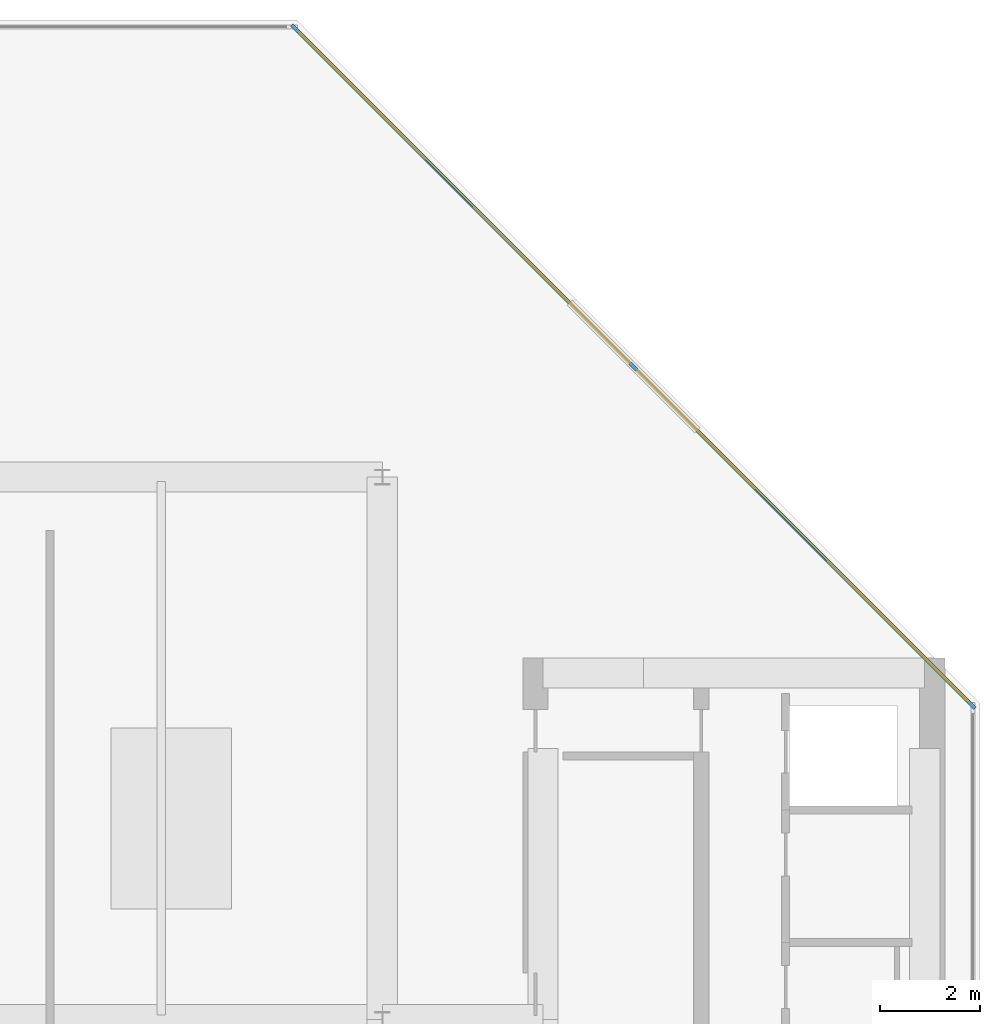
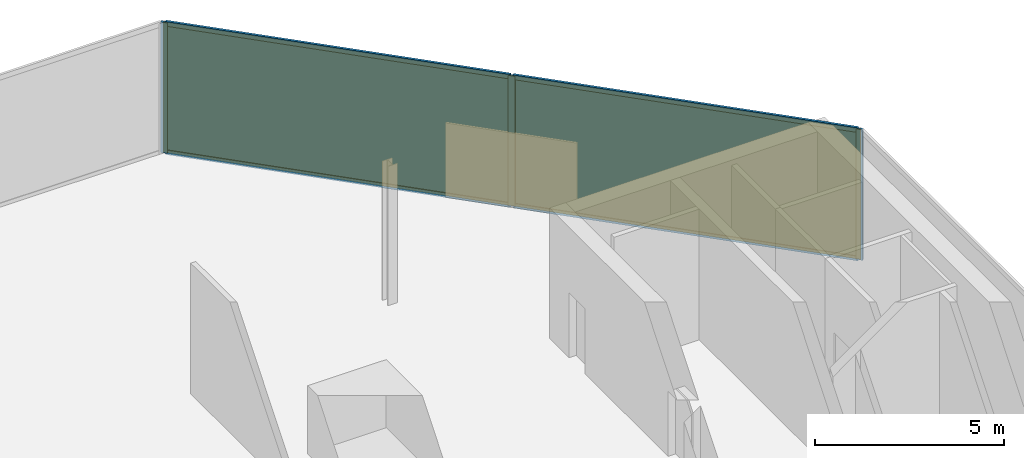
# One storey, part 11 of 15: 7 members, 2 plates, 1 curtain wall.
"""IFC4 building model written with IfcOpenShell, lengths in metres."""

from ifc_helpers import new_model, si_unit, direction, frame, frame_2d, origin, origin_2d, place, context, subcontext, project, spatial, rectangle, extrude, material, layer, layer_set, material_profile, profile_set, type_object, element, aggregate, save


model = new_model("IFC4")

# Units and contexts
model_context = context("Model", 3, precision=1e-05, world=origin(), true_north=direction((0.0, 1.0)))
body_context = subcontext(model_context, "Body", "Model", "MODEL_VIEW")
ifc_project = project(units=[si_unit("LENGTHUNIT", "METRE"), si_unit("AREAUNIT", "SQUARE_METRE"), si_unit("VOLUMEUNIT", "CUBIC_METRE"), si_unit("PLANEANGLEUNIT", "RADIAN"), si_unit("MASSUNIT", "GRAM", prefix="KILO")], contexts=[model_context])

# Member
ifc_material_1 = material(Name="Anodised Bronze Aluminium 6063-T6", Category="aluminium")
ifc_material_profile_1 = material_profile(ifc_material_1, rectangle(XDim=0.070068359375, YDim=0.18994140625, at=origin_2d()))
ifc_profile_set_1 = profile_set([ifc_material_profile_1], Name="Anodised Bronze Aluminium 6063-T6")
member_type_1 = type_object("IfcMemberType", Name="CW-SLC Mullion 70x190", PredefinedType="MULLION", material=ifc_profile_set_1)
site_placement = place(None, origin())
building_placement = place(site_placement, origin())
storey_placement = place(building_placement, frame((0.0, 0.0, 335.0)))
member_1_placement = place(storey_placement, frame((7.466796875, 19.7353515625, 0.0), z_axis=(0.0, 0.0, 1.0), x_axis=(0.707106781187, 0.707106781187, 0.0)))
member_1 = element("IfcMember", 1, at=member_1_placement, type_object=member_type_1, Name="CW-SLC mullion 1", PredefinedType="MULLION", context=body_context, shape_type="SweptSolid", body=[
    extrude(rectangle(XDim=0.070068359375, YDim=0.18994140625, at=origin_2d()), origin(), (0.0, 0.0, 1.0), 4.219970703125),
])

member_2_placement = place(storey_placement, frame((14.200927734375, 13.0009765625, 0.0), z_axis=(0.0, 0.0, 1.0), x_axis=(0.707106781187, 0.707106781187, 0.0)))
member_2 = element("IfcMember", 2, at=member_2_placement, type_object=member_type_1, Name="CW-SLC mullion 2", PredefinedType="MULLION", context=body_context, shape_type="SweptSolid", body=[
    extrude(rectangle(XDim=0.070068359375, YDim=0.18994140625, at=origin_2d()), origin(), (0.0, 0.0, 1.0), 4.219970703125),
])

member_3_placement = place(storey_placement, frame((20.935302734375, 6.266845703125, 0.0), z_axis=(0.0, 0.0, 1.0), x_axis=(0.707106781187, 0.707106781187, 0.0)))
member_3 = element("IfcMember", 3, at=member_3_placement, type_object=member_type_1, Name="CW-SLC mullion 3", PredefinedType="MULLION", context=body_context, shape_type="SweptSolid", body=[
    extrude(rectangle(XDim=0.070068359375, YDim=0.18994140625, at=origin_2d()), origin(), (0.0, 0.0, 1.0), 4.219970703125),
])

ifc_material_2 = material(Name="Anodised Bronze Aluminium 6063-T6", Category="aluminium")
ifc_material_profile_2 = material_profile(ifc_material_2, rectangle(XDim=0.070068359375, YDim=0.14990234375, at=origin_2d()))
ifc_profile_set_2 = profile_set([ifc_material_profile_2], Name="Anodised Bronze Aluminium 6063-T6")
member_type_2 = type_object("IfcMemberType", Name="CW-SLC Transom 70x150", PredefinedType="USERDEFINED", material=ifc_profile_set_2)
member_4_placement = place(storey_placement, frame((7.491455078125, 19.71044921875, 0.034912109375), z_axis=(0.707106781187, -0.707106781187, 0.0), x_axis=(0.707106781187, 0.707106781187, 0.0)))
member_4 = element("IfcMember", 4, at=member_4_placement, type_object=member_type_2, Name="CW-SLC transom 1.1", ObjectType="TRANSOM", PredefinedType="USERDEFINED", context=body_context, shape_type="SweptSolid", body=[
    extrude(rectangle(XDim=0.070068359375, YDim=0.14990234375, at=origin_2d()), origin(), (0.0, 0.0, 1.0), 9.453857421875),
])

member_5_placement = place(storey_placement, frame((7.491455078125, 19.71044921875, 4.18505859375), z_axis=(0.707106781187, -0.707106781187, 0.0), x_axis=(0.707106781187, 0.707106781187, 0.0)))
member_5 = element("IfcMember", 5, at=member_5_placement, type_object=member_type_2, Name="CW-SLC transom 1.2", ObjectType="TRANSOM", PredefinedType="USERDEFINED", context=body_context, shape_type="SweptSolid", body=[
    extrude(rectangle(XDim=0.070068359375, YDim=0.14990234375, at=origin_2d()), origin(), (0.0, 0.0, 1.0), 9.453857421875),
])

member_6_placement = place(storey_placement, frame((14.225830078125, 12.976318359375, 0.034912109375), z_axis=(0.707093868471, -0.707119693667, 0.0), x_axis=(0.707119693667, 0.707093868471, 0.0)))
member_6 = element("IfcMember", 6, at=member_6_placement, type_object=member_type_2, Name="CW-SLC transom 2.1", ObjectType="TRANSOM", PredefinedType="USERDEFINED", context=body_context, shape_type="SweptSolid", body=[
    extrude(rectangle(XDim=0.070068359375, YDim=0.14990234375, at=origin_2d()), origin(), (0.0, 0.0, 1.0), 9.45361328125),
])

member_7_placement = place(storey_placement, frame((14.225830078125, 12.976318359375, 4.18505859375), z_axis=(0.707093868471, -0.707119693667, 0.0), x_axis=(0.707119693667, 0.707093868471, 0.0)))
member_7 = element("IfcMember", 7, at=member_7_placement, type_object=member_type_2, Name="CW-SLC transom 2.2", ObjectType="TRANSOM", PredefinedType="USERDEFINED", context=body_context, shape_type="SweptSolid", body=[
    extrude(rectangle(XDim=0.070068359375, YDim=0.14990234375, at=origin_2d()), origin(), (0.0, 0.0, 1.0), 9.45361328125),
])

# Plate
ifc_material_3 = material(Name="Low-E Solar Control Laminated Glass", Category="glass")
ifc_layer_1 = layer(ifc_material_3, 0.033935546875, Name="Low-E Solar Control Laminated Glass")
ifc_layer_set_1 = layer_set([ifc_layer_1], Name="Low-E Solar Control Laminated Glass")
plate_type = type_object("IfcPlateType", Name="CW-SLC Low-E Double Glazed Panel 34mm", PredefinedType="CURTAIN_PANEL", material=ifc_layer_set_1)
plate_1_placement = place(storey_placement, frame((10.833984375, 16.3681640625, 0.070068359375), z_axis=(0.0, 0.0, 1.0), x_axis=(0.707106781187, -0.707106781187, 0.0)))
plate_1 = element("IfcPlate", 8, at=plate_1_placement, type_object=plate_type, Name="CW-SLC panel 1.1", PredefinedType="CURTAIN_PANEL", context=body_context, shape_type="SweptSolid", body=[
    extrude(rectangle(XDim=9.45361328125, YDim=0.033935546875, at=origin_2d()), origin(), (0.0, 0.0, 1.0), 4.080078125),
])

plate_2_placement = place(storey_placement, frame((17.568115234375, 9.6337890625, 0.070068359375), z_axis=(0.0, 0.0, 1.0), x_axis=(0.707106781187, -0.707106781187, 0.0)))
plate_2 = element("IfcPlate", 9, at=plate_2_placement, type_object=plate_type, Name="CW-SLC panel 2.1", PredefinedType="CURTAIN_PANEL", context=body_context, shape_type="SweptSolid", body=[
    extrude(rectangle(XDim=9.45361328125, YDim=0.033935546875, at=origin_2d()), origin(), (0.0, 0.0, 1.0), 4.080078125),
])

# Site, building, storey
site = spatial("IfcSite", under=ifc_project, at=site_placement, CompositionType="ELEMENT")
building = spatial("IfcBuilding", under=site, at=building_placement, Name="Khairoan Windgate Tower", CompositionType="ELEMENT")
storey = spatial("IfcBuildingStorey", under=building, at=storey_placement, Name="L80", CompositionType="ELEMENT", Elevation=335.0)

# Curtain wall
ifc_material_4 = material(Name="Anodised Bronze Aluminium 6063-T6", Category="aluminium")
ifc_layer_2 = layer(ifc_material_4, 0.18994140625, Name="Anodised Bronze Aluminium 6063-T6")
ifc_layer_set_2 = layer_set([ifc_layer_2], Name="Anodised Bronze Aluminium 6063-T6")
curtain_wall_type = type_object("IfcCurtainWallType", Name="Diagonal Corner-Slice Facet Curtain Wall CW-SLC", PredefinedType="NOTDEFINED", material=ifc_layer_set_2)
curtain_wall_placement = place(storey_placement, frame((7.44189453125, 19.760009765625, 0.0), z_axis=(0.0, 0.0, 1.0), x_axis=(0.707106781187, -0.707106781187, 0.0)))
curtain_wall = element("IfcCurtainWall", 10, at=curtain_wall_placement, inside=storey, type_object=curtain_wall_type, Name="L80 Crystal Slice Curtain Wall 7", PredefinedType="NOTDEFINED", context=body_context, shape_type="SweptSolid", body=[
    extrude(rectangle(XDim=19.117431640625, YDim=0.010009765625, at=frame_2d((9.55859375, 0.0))), origin(), (0.0, 0.0, 1.0), 4.219970703125),
])

aggregate(curtain_wall, [member_1, member_2, member_3, member_4, member_5, plate_1, member_6, member_7, plate_2])

save(model, "model.ifc")
